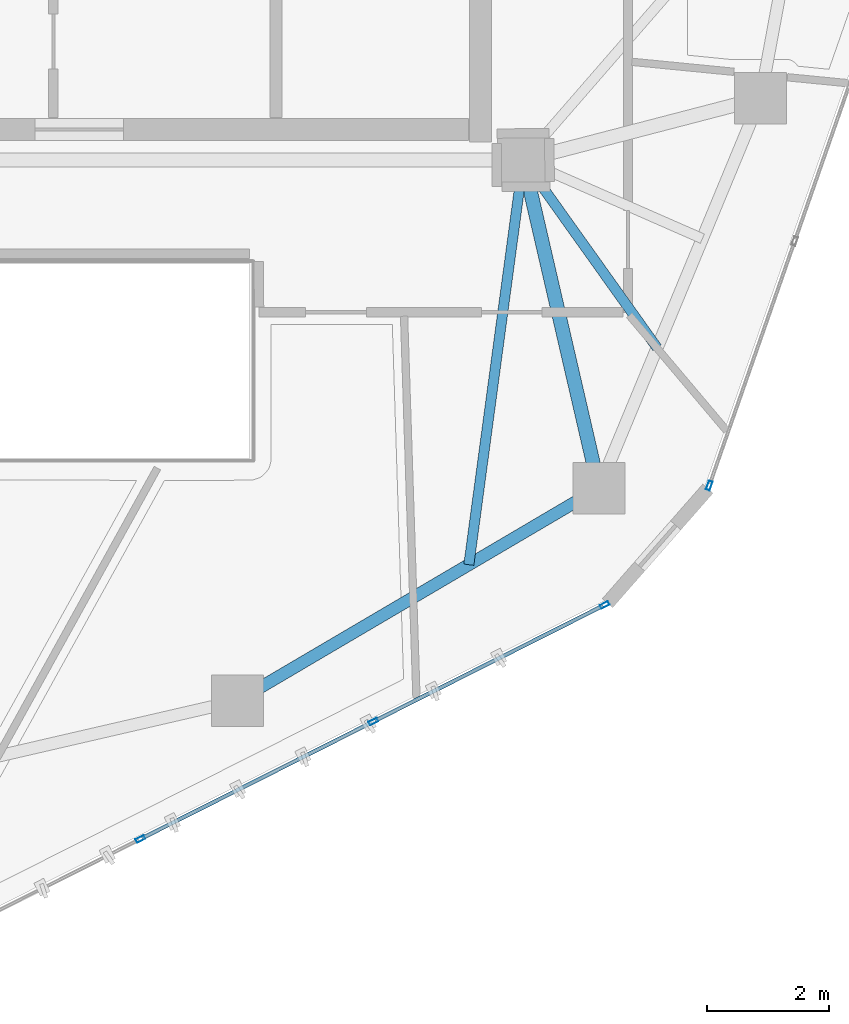
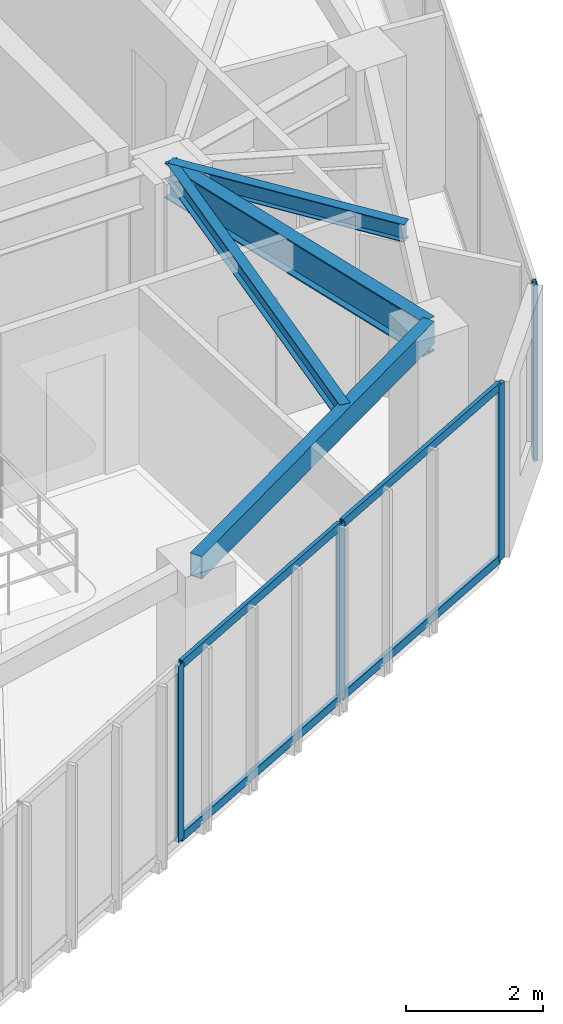
# One storey, part 6 of 21: 8 members, 4 beams, 2 elements without a shape of their own.
"""IFC4 building model written with IfcOpenShell, lengths in metres."""

from ifc_helpers import new_model, si_unit, direction, frame, origin, origin_2d, place, context, subcontext, project, spatial, hollow_rectangle, i_section, extrude, source, transform, mapped, material, layer, layer_set, material_profile, profile_set, type_object, type_shapes, element, aggregate, save


model = new_model("IFC4")

# Units and contexts
model_context = context("Model", 3, precision=1e-05, world=origin(), true_north=direction((0.0, 1.0)))
body_context = subcontext(model_context, "Body", "Model", "MODEL_VIEW")
ifc_project = project(units=[si_unit("LENGTHUNIT", "METRE"), si_unit("AREAUNIT", "SQUARE_METRE"), si_unit("VOLUMEUNIT", "CUBIC_METRE"), si_unit("PLANEANGLEUNIT", "RADIAN"), si_unit("MASSUNIT", "GRAM", prefix="KILO")], contexts=[model_context])

# Site, building, storey
site_placement = place(None, origin())
site = spatial("IfcSite", under=ifc_project, at=site_placement, CompositionType="ELEMENT")
building_placement = place(site_placement, origin())
building = spatial("IfcBuilding", under=site, at=building_placement, Name="Talar Marvaseh", CompositionType="ELEMENT")
storey_placement = place(building_placement, frame((0.0, 0.0, 264.60009765625)))
storey = spatial("IfcBuildingStorey", under=building, at=storey_placement, Name="L70", CompositionType="ELEMENT", Elevation=264.60009765625)

# Beams
ifc_material_1 = material(Name="Steel S355", Category="steel")
ifc_material_profile_1 = material_profile(ifc_material_1, hollow_rectangle(XDim=0.199951171875, YDim=0.39990234375, WallThickness=0.013916015625, at=origin_2d()), Name="RHS400x200x14")
ifc_profile_set_1 = profile_set([ifc_material_profile_1], Name="Steel S355")
beam_type_1 = type_object("IfcBeamType", Name="Zone 3 Perimeter Spandrel Beam RHS400x200x14", PredefinedType="SPANDREL", material=ifc_profile_set_1)
beam_1_placement = place(storey_placement, frame((34.5439453125, 20.111083984375, 2.93994140625), z_axis=(-0.861894136287, -0.507088254482, 0.0), x_axis=(0.507088254482, -0.861894136287, 0.0)))
element("IfcBeam", 1, at=beam_1_placement, inside=storey, type_object=beam_type_1, Name="L70 Zone 3 Perimeter Spandrel Beam RHS400x200x14", PredefinedType="SPANDREL", context=body_context, shape_type="SweptSolid", body=[
    extrude(hollow_rectangle(XDim=0.199951171875, YDim=0.39990234375, WallThickness=0.013916015625, at=origin_2d()), origin(), (0.0, 0.0, 1.0), 6.890625),
])
ifc_material_profile_2 = material_profile(ifc_material_1, i_section(OverallWidth=0.166015625, OverallDepth=0.31298828125, WebThickness=0.006591796875, FlangeThickness=0.01123046875, at=origin_2d()), Name="W310x45")
ifc_profile_set_2 = profile_set([ifc_material_profile_2], Name="Steel S355")
beam_type_2 = type_object("IfcBeamType", Name="Zone 3 Secondary Floor Joist W310x45", PredefinedType="JOIST", material=ifc_profile_set_2)
beam_2_placement = place(storey_placement, frame((35.4990234375, 22.416015625, 2.9833984375), z_axis=(-0.580561197682, 0.814216614757, 0.0), x_axis=(-0.814216614757, -0.580561197682, 0.0)))
element("IfcBeam", 2, at=beam_2_placement, inside=storey, type_object=beam_type_2, Name="L70 Zone 3 Secondary Floor Joist W310x45", PredefinedType="JOIST", context=body_context, shape_type="SweptSolid", body=[
    extrude(i_section(OverallWidth=0.166015625, OverallDepth=0.31298828125, WebThickness=0.006591796875, FlangeThickness=0.01123046875, at=origin_2d()), origin(), (0.0, 0.0, 1.0), 3.78759765625),
])
beam_3_placement = place(storey_placement, frame((32.406005859375, 18.853271484375, 2.9833984375), z_axis=(0.133308183872, 0.991074632968, 0.0), x_axis=(-0.991074632968, 0.133308183872, 0.0)))
element("IfcBeam", 3, at=beam_3_placement, inside=storey, type_object=beam_type_2, Name="L70 Zone 3 Secondary Floor Joist W310x45", PredefinedType="JOIST", context=body_context, shape_type="SweptSolid", body=[
    extrude(i_section(OverallWidth=0.166015625, OverallDepth=0.31298828125, WebThickness=0.006591796875, FlangeThickness=0.01123046875, at=origin_2d()), origin(), (0.0, 0.0, 1.0), 6.70654296875),
])
ifc_material_profile_3 = material_profile(ifc_material_1, i_section(OverallWidth=0.22998046875, OverallDepth=0.616943359375, WebThickness=0.01318359375, FlangeThickness=0.022216796875, at=origin_2d()), Name="W610x140")
ifc_profile_set_3 = profile_set([ifc_material_profile_3], Name="Steel S355")
beam_type_3 = type_object("IfcBeamType", Name="Zone 4 Radial Floor Girder W610x140", PredefinedType="BEAM", material=ifc_profile_set_3)
beam_4_placement = place(storey_placement, frame((34.5439453125, 20.111083984375, 2.831298828125), z_axis=(-0.22491108979, 0.974379290466, 0.0), x_axis=(-0.974379290466, -0.22491108979, 0.0)))
element("IfcBeam", 4, at=beam_4_placement, inside=storey, type_object=beam_type_3, Name="L70 Zone 4 Radial Floor Girder W610x140", PredefinedType="BEAM", context=body_context, shape_type="SweptSolid", body=[
    extrude(i_section(OverallWidth=0.22998046875, OverallDepth=0.616943359375, WebThickness=0.01318359375, FlangeThickness=0.022216796875, at=origin_2d()), origin(), (0.0, 0.0, 1.0), 5.530517578125),
])

# Curtain wall, member
ifc_material_2 = material(Name="Architectural Aluminium", Category="aluminium")
ifc_layer = layer(ifc_material_2, 0.179931640625)
ifc_layer_set = layer_set([ifc_layer], Name="Architectural Aluminium")
curtain_wall_type = type_object("IfcCurtainWallType", Name="Unitised High-Wind Sky Curtain Wall Z4", PredefinedType="NOTDEFINED", material=ifc_layer_set)
curtain_wall_1_placement = place(storey_placement, origin())
curtain_wall_1 = element("IfcCurtainWall", 5, at=curtain_wall_1_placement, inside=storey, type_object=curtain_wall_type, Name="L70 Unitised High-Wind Sky Curtain Wall Z4", PredefinedType="NOTDEFINED")
ifc_material_profile_4 = material_profile(ifc_material_2, hollow_rectangle(XDim=0.06494140625, YDim=0.14990234375, WallThickness=0.00390625, at=origin_2d()), Name="RHS150x65x4")
ifc_profile_set_4 = profile_set([ifc_material_profile_4], Name="Architectural Aluminium")
member_type_1 = type_object("IfcMemberType", Name="Unitised Curtain Wall Slim Mullion RHS150x65x4", PredefinedType="MULLION", material=ifc_profile_set_4)
shared_shape_1 = source(origin(), body_context, "Body", "SweptSolid", [
    extrude(hollow_rectangle(XDim=0.06494140625, YDim=0.14990234375, WallThickness=0.00390625, at=origin_2d()), origin(), (0.0, 0.0, 1.0), 3.139892578125),
])
type_shapes(member_type_1, [shared_shape_1])
member_1_placement = place(storey_placement, frame((36.355712890625, 20.15234375, 0.0), z_axis=(0.0, 0.0, 1.0), x_axis=(0.94403753333, -0.329838044597, 0.0)))
member_1 = element("IfcMember", 6, at=member_1_placement, type_object=member_type_1, Name="CW-Z4 mullion 5", PredefinedType="MULLION", context=body_context, shape_type="MappedRepresentation", body=[
    mapped(shared_shape_1, transform((0.0, 0.0, 0.0), x_axis=(1.0, 0.0, 0.0), y_axis=(0.0, 1.0, 0.0), z_axis=(0.0, 0.0, 1.0), scale=1.0)),
])
aggregate(curtain_wall_1, [member_1])

# Curtain wall, members
curtain_wall_2_placement = place(storey_placement, origin())
curtain_wall_2 = element("IfcCurtainWall", 7, at=curtain_wall_2_placement, inside=storey, type_object=curtain_wall_type, Name="L70 Unitised High-Wind Sky Curtain Wall Z4", PredefinedType="NOTDEFINED")
member_2_placement = place(storey_placement, frame((34.636474609375, 18.19189453125, 0.0), z_axis=(0.0, 0.0, 1.0), x_axis=(0.450236996494, -0.89290909223, 0.0)))
member_2 = element("IfcMember", 8, at=member_2_placement, type_object=member_type_1, Name="CW-Z4 mullion 1", PredefinedType="MULLION", context=body_context, shape_type="MappedRepresentation", body=[
    mapped(shared_shape_1, transform((0.0, 0.0, 0.0), x_axis=(1.0, 0.0, 0.0), y_axis=(0.0, 1.0, 0.0), z_axis=(0.0, 0.0, 1.0), scale=1.0)),
])
member_3_placement = place(storey_placement, frame((30.838134765625, 16.276611328125, 0.0), z_axis=(0.0, 0.0, 1.0), x_axis=(0.450236996494, -0.89290909223, 0.0)))
member_3 = element("IfcMember", 9, at=member_3_placement, type_object=member_type_1, Name="CW-Z4 mullion 2", PredefinedType="MULLION", context=body_context, shape_type="MappedRepresentation", body=[
    mapped(shared_shape_1, transform((0.0, 0.0, 0.0), x_axis=(1.0, 0.0, 0.0), y_axis=(0.0, 1.0, 0.0), z_axis=(0.0, 0.0, 1.0), scale=1.0)),
])
member_4_placement = place(storey_placement, frame((27.010986328125, 14.346923828125, 0.0), z_axis=(0.0, 0.0, 1.0), x_axis=(0.450236996494, -0.89290909223, 0.0)))
member_4 = element("IfcMember", 10, at=member_4_placement, type_object=member_type_1, Name="CW-Z4 mullion 3", PredefinedType="MULLION", context=body_context, shape_type="MappedRepresentation", body=[
    mapped(shared_shape_1, transform((0.0, 0.0, 0.0), x_axis=(1.0, 0.0, 0.0), y_axis=(0.0, 1.0, 0.0), z_axis=(0.0, 0.0, 1.0), scale=1.0)),
])
ifc_material_profile_5 = material_profile(ifc_material_2, hollow_rectangle(XDim=0.06494140625, YDim=0.14990234375, WallThickness=0.00390625, at=origin_2d()), Name="RHS150x65x4")
ifc_profile_set_5 = profile_set([ifc_material_profile_5], Name="Architectural Aluminium")
member_type_2 = type_object("IfcMemberType", Name="Unitised Curtain Wall Slim Transom RHS150x65x4", PredefinedType="USERDEFINED", material=ifc_profile_set_5)
shared_shape_2 = source(origin(), body_context, "Body", "SweptSolid", [
    extrude(hollow_rectangle(XDim=0.06494140625, YDim=0.14990234375, WallThickness=0.00390625, at=origin_2d()), origin(), (0.0, 0.0, 1.0), 4.188720703125),
])
member_5_placement = place(storey_placement, frame((34.607421875, 18.17724609375, 0.032470703125), z_axis=(-0.892906679281, -0.450241781818, 0.0), x_axis=(0.450241781818, -0.892906679281, 0.0)))
member_5 = element("IfcMember", 11, at=member_5_placement, type_object=member_type_2, Name="CW-Z4 transom 1.1", ObjectType="TRANSOM", PredefinedType="USERDEFINED", context=body_context, shape_type="MappedRepresentation", body=[
    mapped(shared_shape_2, transform((0.0, 0.0, 0.0), x_axis=(1.0, 0.0, 0.0), y_axis=(0.0, 1.0, 0.0), z_axis=(0.0, 0.0, 1.0), scale=1.0)),
])
member_6_placement = place(storey_placement, frame((34.607421875, 18.17724609375, 3.107421875), z_axis=(-0.892906679281, -0.450241781818, 0.0), x_axis=(0.450241781818, -0.892906679281, 0.0)))
member_6 = element("IfcMember", 12, at=member_6_placement, type_object=member_type_2, Name="CW-Z4 transom 1.2", ObjectType="TRANSOM", PredefinedType="USERDEFINED", context=body_context, shape_type="MappedRepresentation", body=[
    mapped(shared_shape_2, transform((0.0, 0.0, 0.0), x_axis=(1.0, 0.0, 0.0), y_axis=(0.0, 1.0, 0.0), z_axis=(0.0, 0.0, 1.0), scale=1.0)),
])
shared_shape_3 = source(origin(), body_context, "Body", "SweptSolid", [
    extrude(hollow_rectangle(XDim=0.06494140625, YDim=0.14990234375, WallThickness=0.00390625, at=origin_2d()), origin(), (0.0, 0.0, 1.0), 4.220947265625),
])
type_shapes(member_type_2, [shared_shape_2, shared_shape_3])
member_7_placement = place(storey_placement, frame((30.80908203125, 16.261962890625, 0.032470703125), z_axis=(-0.892918320489, -0.450218694564, 0.0), x_axis=(0.450218694564, -0.892918320489, 0.0)))
member_7 = element("IfcMember", 13, at=member_7_placement, type_object=member_type_2, Name="CW-Z4 transom 2.1", ObjectType="TRANSOM", PredefinedType="USERDEFINED", context=body_context, shape_type="MappedRepresentation", body=[
    mapped(shared_shape_3, transform((0.0, 0.0, 0.0), x_axis=(1.0, 0.0, 0.0), y_axis=(0.0, 1.0, 0.0), z_axis=(0.0, 0.0, 1.0), scale=1.0)),
])
member_8_placement = place(storey_placement, frame((30.80908203125, 16.261962890625, 3.107421875), z_axis=(-0.892918320489, -0.450218694564, 0.0), x_axis=(0.450218694564, -0.892918320489, 0.0)))
member_8 = element("IfcMember", 14, at=member_8_placement, type_object=member_type_2, Name="CW-Z4 transom 2.2", ObjectType="TRANSOM", PredefinedType="USERDEFINED", context=body_context, shape_type="MappedRepresentation", body=[
    mapped(shared_shape_3, transform((0.0, 0.0, 0.0), x_axis=(1.0, 0.0, 0.0), y_axis=(0.0, 1.0, 0.0), z_axis=(0.0, 0.0, 1.0), scale=1.0)),
])
aggregate(curtain_wall_2, [member_2, member_3, member_4, member_5, member_6, member_7, member_8])

save(model, "model.ifc")
